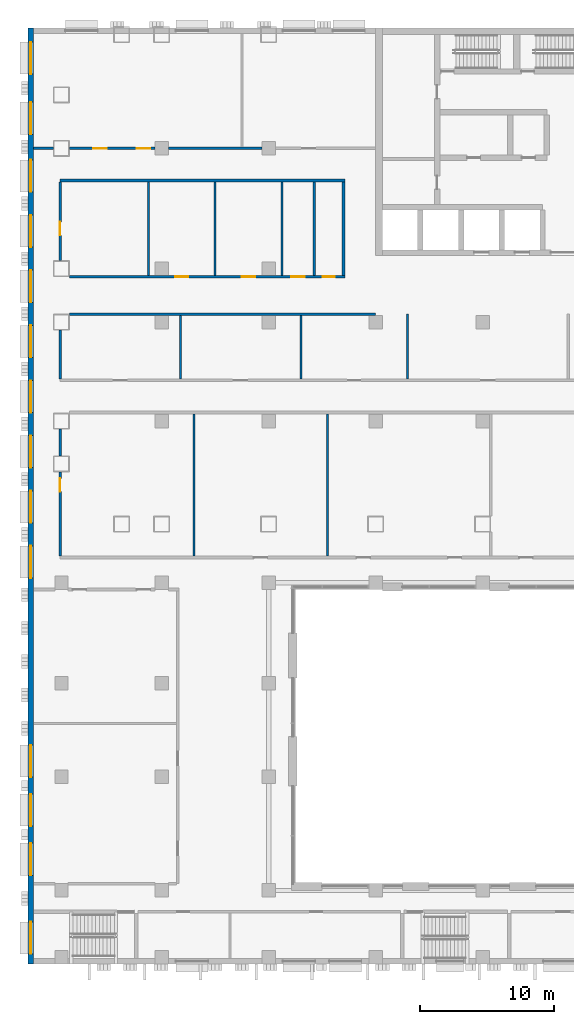
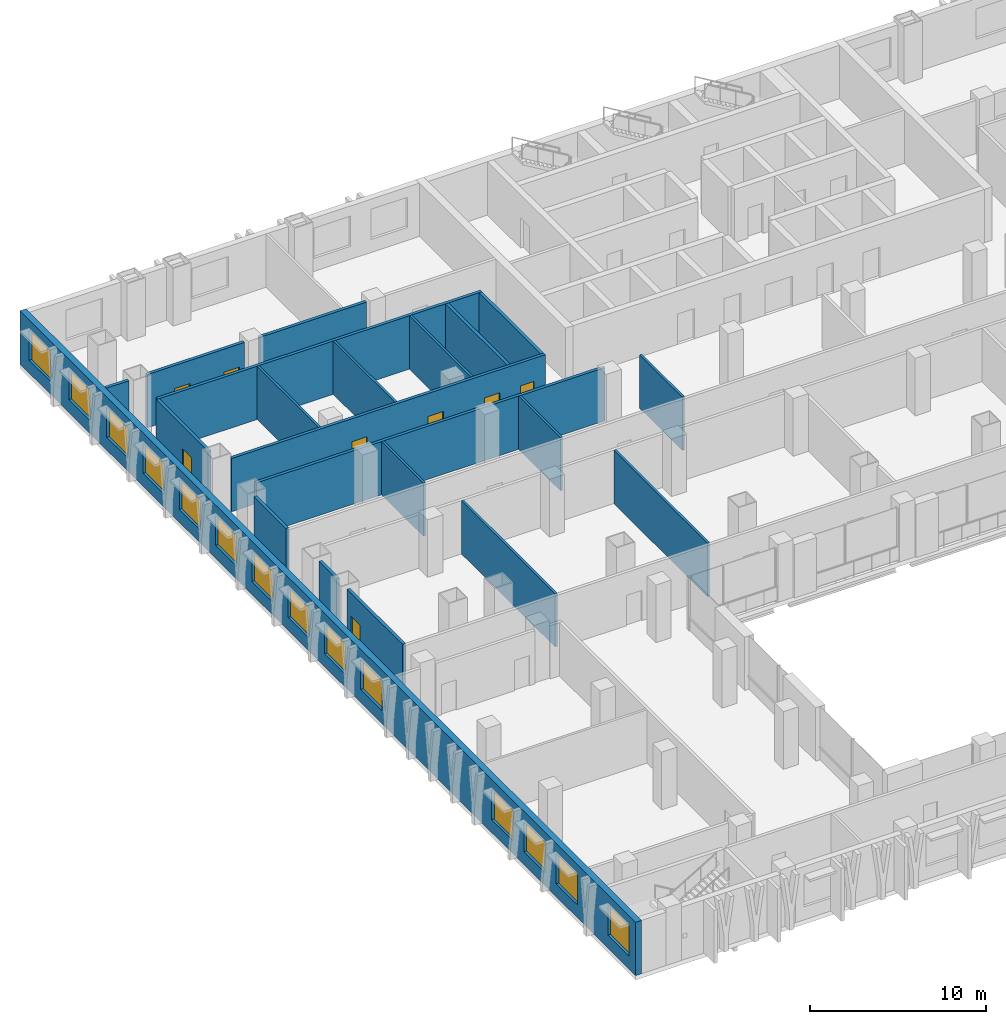
# One storey, part 11 of 26: 21 walls, 14 windows, 8 doors, 22 openings.
"""IFC4 building model written with IfcOpenShell, lengths in metres."""

from ifc_helpers import new_model, si_unit, direction, frame, frame_2d, origin, place, context, subcontext, project, spatial, rectangle, extrude, material, layer, layer_set, type_object, element, fill, save


model = new_model("IFC4")

# Units and contexts
model_context = context("Model", 3, precision=1e-05, world=origin(), true_north=direction((0.0, 1.0)))
body_context = subcontext(model_context, "Body", "Model", "MODEL_VIEW")
ifc_project = project(units=[si_unit("LENGTHUNIT", "METRE"), si_unit("AREAUNIT", "SQUARE_METRE"), si_unit("VOLUMEUNIT", "CUBIC_METRE"), si_unit("PLANEANGLEUNIT", "RADIAN"), si_unit("MASSUNIT", "GRAM", prefix="KILO")], contexts=[model_context])

# Site, building, storey
site_placement = place(None, origin())
site = spatial("IfcSite", under=ifc_project, at=site_placement, CompositionType="ELEMENT")
building_placement = place(site_placement, origin())
building = spatial("IfcBuilding", under=site, at=building_placement, Name="Vidyagriha Tower", CompositionType="ELEMENT")
storey_placement = place(building_placement, frame((0.0, 0.0, 6.0)))
storey = spatial("IfcBuildingStorey", under=building, at=storey_placement, Name="L01", CompositionType="ELEMENT", Elevation=6.0)

# Wall, openings, windows
ifc_material_1 = material(Name="Concrete C40/50 board-marked with brick facing", Category="concrete")
ifc_layer_1 = layer(ifc_material_1, 0.39990234375)
ifc_layer_set_1 = layer_set([ifc_layer_1], Name="Concrete C40/50 board-marked with brick facing")
wall_type_1 = type_object("IfcWallType", Name="Brick-faced board-marked concrete podium wall 400", PredefinedType="STANDARD", material=ifc_layer_set_1)
wall_1_placement = place(storey_placement, frame((-39.800048828125, 20.0, 0.0), z_axis=(0.0, 0.0, 1.0), x_axis=(0.0, -1.0, 0.0)))
wall_1 = element("IfcWall", 1, at=wall_1_placement, inside=storey, type_object=wall_type_1, Name="Podium wall L01 R05", PredefinedType="STANDARD", context=body_context, shape_type="SweptSolid", body=[
    extrude(rectangle(XDim=70.0, YDim=0.39990234375, at=frame_2d((35.0, 0.0))), origin(), (0.0, 0.0, 1.0), 3.699951171875),
])
opening_1_placement = place(wall_1_placement, frame((1.050048828125, 0.0, 0.89990234375)))
opening_1 = element("IfcOpeningElement", 2, at=opening_1_placement, cuts=wall_1, Name="Opening WN3", PredefinedType="OPENING", context=body_context, shape_type="SweptSolid", body=[
    extrude(rectangle(XDim=2.39990234375, YDim=2.10009765625, at=frame_2d((1.199951171875, 1.050048828125))), frame((0.0, 0.2099609375, 0.0), z_axis=(0.0, -1.0, 0.0), x_axis=(1.0, 0.0, 0.0)), (0.0, 0.0, 1.0), 0.419921875),
])
opening_2_placement = place(wall_1_placement, frame((5.550048828125, 0.0, 0.89990234375)))
opening_2 = element("IfcOpeningElement", 3, at=opening_2_placement, cuts=wall_1, Name="Opening WN3", PredefinedType="OPENING", context=body_context, shape_type="SweptSolid", body=[
    extrude(rectangle(XDim=2.39990234375, YDim=2.10009765625, at=frame_2d((1.199951171875, 1.050048828125))), frame((0.0, 0.2099609375, 0.0), z_axis=(0.0, -1.0, 0.0), x_axis=(1.0, 0.0, 0.0)), (0.0, 0.0, 1.0), 0.419921875),
])
opening_3_placement = place(wall_1_placement, frame((9.862548828125, 0.0, 0.89990234375)))
opening_3 = element("IfcOpeningElement", 4, at=opening_3_placement, cuts=wall_1, Name="Opening WN3", PredefinedType="OPENING", context=body_context, shape_type="SweptSolid", body=[
    extrude(rectangle(XDim=2.39990234375, YDim=2.10009765625, at=frame_2d((1.199951171875, 1.050048828125))), frame((0.0, 0.2099609375, 0.0), z_axis=(0.0, -1.0, 0.0), x_axis=(1.0, 0.0, 0.0)), (0.0, 0.0, 1.0), 0.419921875),
])
opening_4_placement = place(wall_1_placement, frame((13.987548828125, 0.0, 0.89990234375)))
opening_4 = element("IfcOpeningElement", 5, at=opening_4_placement, cuts=wall_1, Name="Opening WN3", PredefinedType="OPENING", context=body_context, shape_type="SweptSolid", body=[
    extrude(rectangle(XDim=2.39990234375, YDim=2.10009765625, at=frame_2d((1.199951171875, 1.050048828125))), frame((0.0, 0.2099609375, 0.0), z_axis=(0.0, -1.0, 0.0), x_axis=(1.0, 0.0, 0.0)), (0.0, 0.0, 1.0), 0.419921875),
])
opening_5_placement = place(wall_1_placement, frame((18.112548828125, 0.0, 0.89990234375)))
opening_5 = element("IfcOpeningElement", 6, at=opening_5_placement, cuts=wall_1, Name="Opening WN3", PredefinedType="OPENING", context=body_context, shape_type="SweptSolid", body=[
    extrude(rectangle(XDim=2.39990234375, YDim=2.10009765625, at=frame_2d((1.199951171875, 1.050048828125))), frame((0.0, 0.2099609375, 0.0), z_axis=(0.0, -1.0, 0.0), x_axis=(1.0, 0.0, 0.0)), (0.0, 0.0, 1.0), 0.419921875),
])
opening_6_placement = place(wall_1_placement, frame((22.237548828125, 0.0, 0.89990234375)))
opening_6 = element("IfcOpeningElement", 7, at=opening_6_placement, cuts=wall_1, Name="Opening WN3", PredefinedType="OPENING", context=body_context, shape_type="SweptSolid", body=[
    extrude(rectangle(XDim=2.39990234375, YDim=2.10009765625, at=frame_2d((1.199951171875, 1.050048828125))), frame((0.0, 0.2099609375, 0.0), z_axis=(0.0, -1.0, 0.0), x_axis=(1.0, 0.0, 0.0)), (0.0, 0.0, 1.0), 0.419921875),
])
opening_7_placement = place(wall_1_placement, frame((26.362548828125, 0.0, 0.89990234375)))
opening_7 = element("IfcOpeningElement", 8, at=opening_7_placement, cuts=wall_1, Name="Opening WN3", PredefinedType="OPENING", context=body_context, shape_type="SweptSolid", body=[
    extrude(rectangle(XDim=2.39990234375, YDim=2.10009765625, at=frame_2d((1.199951171875, 1.050048828125))), frame((0.0, 0.2099609375, 0.0), z_axis=(0.0, -1.0, 0.0), x_axis=(1.0, 0.0, 0.0)), (0.0, 0.0, 1.0), 0.419921875),
])
opening_8_placement = place(wall_1_placement, frame((30.487548828125, 0.0, 0.89990234375)))
opening_8 = element("IfcOpeningElement", 9, at=opening_8_placement, cuts=wall_1, Name="Opening WN3", PredefinedType="OPENING", context=body_context, shape_type="SweptSolid", body=[
    extrude(rectangle(XDim=2.39990234375, YDim=2.10009765625, at=frame_2d((1.199951171875, 1.050048828125))), frame((0.0, 0.2099609375, 0.0), z_axis=(0.0, -1.0, 0.0), x_axis=(1.0, 0.0, 0.0)), (0.0, 0.0, 1.0), 0.419921875),
])
opening_9_placement = place(wall_1_placement, frame((34.612548828125, 0.0, 0.89990234375)))
opening_9 = element("IfcOpeningElement", 10, at=opening_9_placement, cuts=wall_1, Name="Opening WN3", PredefinedType="OPENING", context=body_context, shape_type="SweptSolid", body=[
    extrude(rectangle(XDim=2.39990234375, YDim=2.10009765625, at=frame_2d((1.199951171875, 1.050048828125))), frame((0.0, 0.2099609375, 0.0), z_axis=(0.0, -1.0, 0.0), x_axis=(1.0, 0.0, 0.0)), (0.0, 0.0, 1.0), 0.419921875),
])
opening_10_placement = place(wall_1_placement, frame((38.737548828125, 0.0, 0.89990234375)))
opening_10 = element("IfcOpeningElement", 11, at=opening_10_placement, cuts=wall_1, Name="Opening WN3", PredefinedType="OPENING", context=body_context, shape_type="SweptSolid", body=[
    extrude(rectangle(XDim=2.39990234375, YDim=2.10009765625, at=frame_2d((1.199951171875, 1.050048828125))), frame((0.0, 0.2099609375, 0.0), z_axis=(0.0, -1.0, 0.0), x_axis=(1.0, 0.0, 0.0)), (0.0, 0.0, 1.0), 0.419921875),
])
opening_11_placement = place(wall_1_placement, frame((53.63330078125, 0.0, 0.89990234375)))
opening_11 = element("IfcOpeningElement", 12, at=opening_11_placement, cuts=wall_1, Name="Opening WN3", PredefinedType="OPENING", context=body_context, shape_type="SweptSolid", body=[
    extrude(rectangle(XDim=2.39990234375, YDim=2.10009765625, at=frame_2d((1.199951171875, 1.050048828125))), frame((0.0, 0.2099609375, 0.0), z_axis=(0.0, -1.0, 0.0), x_axis=(1.0, 0.0, 0.0)), (0.0, 0.0, 1.0), 0.419921875),
])
opening_12_placement = place(wall_1_placement, frame((57.300048828125, 0.0, 0.89990234375)))
opening_12 = element("IfcOpeningElement", 13, at=opening_12_placement, cuts=wall_1, Name="Opening WN3", PredefinedType="OPENING", context=body_context, shape_type="SweptSolid", body=[
    extrude(rectangle(XDim=2.39990234375, YDim=2.10009765625, at=frame_2d((1.199951171875, 1.050048828125))), frame((0.0, 0.2099609375, 0.0), z_axis=(0.0, -1.0, 0.0), x_axis=(1.0, 0.0, 0.0)), (0.0, 0.0, 1.0), 0.419921875),
])
opening_13_placement = place(wall_1_placement, frame((60.966796875, 0.0, 0.89990234375)))
opening_13 = element("IfcOpeningElement", 14, at=opening_13_placement, cuts=wall_1, Name="Opening WN3", PredefinedType="OPENING", context=body_context, shape_type="SweptSolid", body=[
    extrude(rectangle(XDim=2.39990234375, YDim=2.10009765625, at=frame_2d((1.199951171875, 1.050048828125))), frame((0.0, 0.2099609375, 0.0), z_axis=(0.0, -1.0, 0.0), x_axis=(1.0, 0.0, 0.0)), (0.0, 0.0, 1.0), 0.419921875),
])
opening_14_placement = place(wall_1_placement, frame((66.85009765625, 0.0, 0.89990234375)))
opening_14 = element("IfcOpeningElement", 15, at=opening_14_placement, cuts=wall_1, Name="Opening WN3", PredefinedType="OPENING", context=body_context, shape_type="SweptSolid", body=[
    extrude(rectangle(XDim=2.39990234375, YDim=2.10009765625, at=frame_2d((1.199951171875, 1.050048828125))), frame((0.0, 0.2099609375, 0.0), z_axis=(0.0, -1.0, 0.0), x_axis=(1.0, 0.0, 0.0)), (0.0, 0.0, 1.0), 0.419921875),
])
ifc_material_2 = material(Name="Aluminium and glass window", Category="aluminium")
window_type = type_object("IfcWindowType", Name="Podium school window 2400x2100", PartitioningType="NOTDEFINED", PredefinedType="WINDOW", material=ifc_material_2)
window_1_placement = place(opening_1_placement, origin())
window_1 = element("IfcWindow", 16, at=window_1_placement, inside=storey, type_object=window_type, Name="School window L01 R05.1", OverallHeight=2.10009765625, OverallWidth=2.39990234375, PartitioningType="SINGLE_PANEL", PredefinedType="WINDOW", context=body_context, shape_type="SweptSolid", body=[
    extrude(rectangle(XDim=2.39990234375, YDim=2.10009765625, at=frame_2d((1.199951171875, 1.050048828125))), frame((0.0, 0.030029296875, 0.0), z_axis=(0.0, -1.0, 0.0), x_axis=(1.0, 0.0, 0.0)), (0.0, 0.0, 1.0), 0.06005859375),
])
fill(opening_1, window_1)
window_2_placement = place(opening_2_placement, origin())
window_2 = element("IfcWindow", 17, at=window_2_placement, inside=storey, type_object=window_type, Name="School window L01 R05.2", OverallHeight=2.10009765625, OverallWidth=2.39990234375, PartitioningType="SINGLE_PANEL", PredefinedType="WINDOW", context=body_context, shape_type="SweptSolid", body=[
    extrude(rectangle(XDim=2.39990234375, YDim=2.10009765625, at=frame_2d((1.199951171875, 1.050048828125))), frame((0.0, 0.030029296875, 0.0), z_axis=(0.0, -1.0, 0.0), x_axis=(1.0, 0.0, 0.0)), (0.0, 0.0, 1.0), 0.06005859375),
])
fill(opening_2, window_2)
window_3_placement = place(opening_3_placement, origin())
window_3 = element("IfcWindow", 18, at=window_3_placement, inside=storey, type_object=window_type, Name="School window L01 R05.3", OverallHeight=2.10009765625, OverallWidth=2.39990234375, PartitioningType="SINGLE_PANEL", PredefinedType="WINDOW", context=body_context, shape_type="SweptSolid", body=[
    extrude(rectangle(XDim=2.39990234375, YDim=2.10009765625, at=frame_2d((1.199951171875, 1.050048828125))), frame((0.0, 0.030029296875, 0.0), z_axis=(0.0, -1.0, 0.0), x_axis=(1.0, 0.0, 0.0)), (0.0, 0.0, 1.0), 0.06005859375),
])
fill(opening_3, window_3)
window_4_placement = place(opening_4_placement, origin())
window_4 = element("IfcWindow", 19, at=window_4_placement, inside=storey, type_object=window_type, Name="School window L01 R05.4", OverallHeight=2.10009765625, OverallWidth=2.39990234375, PartitioningType="SINGLE_PANEL", PredefinedType="WINDOW", context=body_context, shape_type="SweptSolid", body=[
    extrude(rectangle(XDim=2.39990234375, YDim=2.10009765625, at=frame_2d((1.199951171875, 1.050048828125))), frame((0.0, 0.030029296875, 0.0), z_axis=(0.0, -1.0, 0.0), x_axis=(1.0, 0.0, 0.0)), (0.0, 0.0, 1.0), 0.06005859375),
])
fill(opening_4, window_4)
window_5_placement = place(opening_5_placement, origin())
window_5 = element("IfcWindow", 20, at=window_5_placement, inside=storey, type_object=window_type, Name="School window L01 R05.5", OverallHeight=2.10009765625, OverallWidth=2.39990234375, PartitioningType="SINGLE_PANEL", PredefinedType="WINDOW", context=body_context, shape_type="SweptSolid", body=[
    extrude(rectangle(XDim=2.39990234375, YDim=2.10009765625, at=frame_2d((1.199951171875, 1.050048828125))), frame((0.0, 0.030029296875, 0.0), z_axis=(0.0, -1.0, 0.0), x_axis=(1.0, 0.0, 0.0)), (0.0, 0.0, 1.0), 0.06005859375),
])
fill(opening_5, window_5)
window_6_placement = place(opening_6_placement, origin())
window_6 = element("IfcWindow", 21, at=window_6_placement, inside=storey, type_object=window_type, Name="School window L01 R05.6", OverallHeight=2.10009765625, OverallWidth=2.39990234375, PartitioningType="SINGLE_PANEL", PredefinedType="WINDOW", context=body_context, shape_type="SweptSolid", body=[
    extrude(rectangle(XDim=2.39990234375, YDim=2.10009765625, at=frame_2d((1.199951171875, 1.050048828125))), frame((0.0, 0.030029296875, 0.0), z_axis=(0.0, -1.0, 0.0), x_axis=(1.0, 0.0, 0.0)), (0.0, 0.0, 1.0), 0.06005859375),
])
fill(opening_6, window_6)
window_7_placement = place(opening_7_placement, origin())
window_7 = element("IfcWindow", 22, at=window_7_placement, inside=storey, type_object=window_type, Name="School window L01 R05.7", OverallHeight=2.10009765625, OverallWidth=2.39990234375, PartitioningType="SINGLE_PANEL", PredefinedType="WINDOW", context=body_context, shape_type="SweptSolid", body=[
    extrude(rectangle(XDim=2.39990234375, YDim=2.10009765625, at=frame_2d((1.199951171875, 1.050048828125))), frame((0.0, 0.030029296875, 0.0), z_axis=(0.0, -1.0, 0.0), x_axis=(1.0, 0.0, 0.0)), (0.0, 0.0, 1.0), 0.06005859375),
])
fill(opening_7, window_7)
window_8_placement = place(opening_8_placement, origin())
window_8 = element("IfcWindow", 23, at=window_8_placement, inside=storey, type_object=window_type, Name="School window L01 R05.8", OverallHeight=2.10009765625, OverallWidth=2.39990234375, PartitioningType="SINGLE_PANEL", PredefinedType="WINDOW", context=body_context, shape_type="SweptSolid", body=[
    extrude(rectangle(XDim=2.39990234375, YDim=2.10009765625, at=frame_2d((1.199951171875, 1.050048828125))), frame((0.0, 0.030029296875, 0.0), z_axis=(0.0, -1.0, 0.0), x_axis=(1.0, 0.0, 0.0)), (0.0, 0.0, 1.0), 0.06005859375),
])
fill(opening_8, window_8)
window_9_placement = place(opening_9_placement, origin())
window_9 = element("IfcWindow", 24, at=window_9_placement, inside=storey, type_object=window_type, Name="School window L01 R05.9", OverallHeight=2.10009765625, OverallWidth=2.39990234375, PartitioningType="SINGLE_PANEL", PredefinedType="WINDOW", context=body_context, shape_type="SweptSolid", body=[
    extrude(rectangle(XDim=2.39990234375, YDim=2.10009765625, at=frame_2d((1.199951171875, 1.050048828125))), frame((0.0, 0.030029296875, 0.0), z_axis=(0.0, -1.0, 0.0), x_axis=(1.0, 0.0, 0.0)), (0.0, 0.0, 1.0), 0.06005859375),
])
fill(opening_9, window_9)
window_10_placement = place(opening_10_placement, origin())
window_10 = element("IfcWindow", 25, at=window_10_placement, inside=storey, type_object=window_type, Name="School window L01 R05.10", OverallHeight=2.10009765625, OverallWidth=2.39990234375, PartitioningType="SINGLE_PANEL", PredefinedType="WINDOW", context=body_context, shape_type="SweptSolid", body=[
    extrude(rectangle(XDim=2.39990234375, YDim=2.10009765625, at=frame_2d((1.199951171875, 1.050048828125))), frame((0.0, 0.030029296875, 0.0), z_axis=(0.0, -1.0, 0.0), x_axis=(1.0, 0.0, 0.0)), (0.0, 0.0, 1.0), 0.06005859375),
])
fill(opening_10, window_10)
window_11_placement = place(opening_11_placement, origin())
window_11 = element("IfcWindow", 26, at=window_11_placement, inside=storey, type_object=window_type, Name="School window L01 R05.15", OverallHeight=2.10009765625, OverallWidth=2.39990234375, PartitioningType="SINGLE_PANEL", PredefinedType="WINDOW", context=body_context, shape_type="SweptSolid", body=[
    extrude(rectangle(XDim=2.39990234375, YDim=2.10009765625, at=frame_2d((1.199951171875, 1.050048828125))), frame((0.0, 0.030029296875, 0.0), z_axis=(0.0, -1.0, 0.0), x_axis=(1.0, 0.0, 0.0)), (0.0, 0.0, 1.0), 0.06005859375),
])
fill(opening_11, window_11)
window_12_placement = place(opening_12_placement, origin())
window_12 = element("IfcWindow", 27, at=window_12_placement, inside=storey, type_object=window_type, Name="School window L01 R05.16", OverallHeight=2.10009765625, OverallWidth=2.39990234375, PartitioningType="SINGLE_PANEL", PredefinedType="WINDOW", context=body_context, shape_type="SweptSolid", body=[
    extrude(rectangle(XDim=2.39990234375, YDim=2.10009765625, at=frame_2d((1.199951171875, 1.050048828125))), frame((0.0, 0.030029296875, 0.0), z_axis=(0.0, -1.0, 0.0), x_axis=(1.0, 0.0, 0.0)), (0.0, 0.0, 1.0), 0.06005859375),
])
fill(opening_12, window_12)
window_13_placement = place(opening_13_placement, origin())
window_13 = element("IfcWindow", 28, at=window_13_placement, inside=storey, type_object=window_type, Name="School window L01 R05.17", OverallHeight=2.10009765625, OverallWidth=2.39990234375, PartitioningType="SINGLE_PANEL", PredefinedType="WINDOW", context=body_context, shape_type="SweptSolid", body=[
    extrude(rectangle(XDim=2.39990234375, YDim=2.10009765625, at=frame_2d((1.199951171875, 1.050048828125))), frame((0.0, 0.030029296875, 0.0), z_axis=(0.0, -1.0, 0.0), x_axis=(1.0, 0.0, 0.0)), (0.0, 0.0, 1.0), 0.06005859375),
])
fill(opening_13, window_13)
window_14_placement = place(opening_14_placement, origin())
window_14 = element("IfcWindow", 29, at=window_14_placement, inside=storey, type_object=window_type, Name="School window L01 R05.19", OverallHeight=2.10009765625, OverallWidth=2.39990234375, PartitioningType="SINGLE_PANEL", PredefinedType="WINDOW", context=body_context, shape_type="SweptSolid", body=[
    extrude(rectangle(XDim=2.39990234375, YDim=2.10009765625, at=frame_2d((1.199951171875, 1.050048828125))), frame((0.0, 0.030029296875, 0.0), z_axis=(0.0, -1.0, 0.0), x_axis=(1.0, 0.0, 0.0)), (0.0, 0.0, 1.0), 0.06005859375),
])
fill(opening_14, window_14)

# Wall
ifc_material_3 = material(Name="Fire rated gypsum board on light gauge framing")
ifc_layer_2 = layer(ifc_material_3, 0.199951171875)
ifc_layer_set_2 = layer_set([ifc_layer_2], Name="Fire rated gypsum board on light gauge framing")
wall_type_2 = type_object("IfcWallType", Name="Fire Rated Corridor Wall 200", PredefinedType="PARTITIONING", material=ifc_layer_set_2)
wall_2_placement = place(storey_placement, frame((-36.89990234375, -1.39990234375, 0.0)))
element("IfcWall", 30, at=wall_2_placement, inside=storey, type_object=wall_type_2, Name="L01 Fire Rated Corridor Wall 200 024", PredefinedType="PARTITIONING", context=body_context, shape_type="SweptSolid", body=[
    extrude(rectangle(XDim=22.89990234375, YDim=0.199951171875, at=frame_2d((11.449951171875, 0.0))), origin(), (0.0, 0.0, 1.0), 3.699951171875),
])

# Wall, openings, doors
wall_3_placement = place(storey_placement, frame((-36.89990234375, 1.39990234375, 0.0)))
wall_3 = element("IfcWall", 31, at=wall_3_placement, inside=storey, type_object=wall_type_2, Name="L01 Fire Rated Corridor Wall 200 026", PredefinedType="PARTITIONING", context=body_context, shape_type="SweptSolid", body=[
    extrude(rectangle(XDim=20.599853515625, YDim=0.199951171875, at=frame_2d((10.2998046875, 0.0))), origin(), (0.0, 0.0, 1.0), 3.699951171875),
])
opening_15_placement = place(wall_3_placement, frame((7.89990234375, 0.0, 0.0)))
opening_15 = element("IfcOpeningElement", 32, at=opening_15_placement, cuts=wall_3, Name="Opening D01-43", PredefinedType="OPENING", context=body_context, shape_type="SweptSolid", body=[
    extrude(rectangle(XDim=1.0, YDim=2.10009765625, at=frame_2d((0.5, 1.050048828125))), frame((0.0, 0.10986328125, 0.0), z_axis=(0.0, -1.0, 0.0), x_axis=(1.0, 0.0, 0.0)), (0.0, 0.0, 1.0), 0.219970703125),
])
opening_16_placement = place(wall_3_placement, frame((12.89990234375, 0.0, 0.0)))
opening_16 = element("IfcOpeningElement", 33, at=opening_16_placement, cuts=wall_3, Name="Opening D01-44", PredefinedType="OPENING", context=body_context, shape_type="SweptSolid", body=[
    extrude(rectangle(XDim=1.0, YDim=2.10009765625, at=frame_2d((0.5, 1.050048828125))), frame((0.0, 0.10986328125, 0.0), z_axis=(0.0, -1.0, 0.0), x_axis=(1.0, 0.0, 0.0)), (0.0, 0.0, 1.0), 0.219970703125),
])
opening_17_placement = place(wall_3_placement, frame((16.60009765625, 0.0, 0.0)))
opening_17 = element("IfcOpeningElement", 34, at=opening_17_placement, cuts=wall_3, Name="Opening D01-45", PredefinedType="OPENING", context=body_context, shape_type="SweptSolid", body=[
    extrude(rectangle(XDim=1.0, YDim=2.10009765625, at=frame_2d((0.5, 1.050048828125))), frame((0.0, 0.10986328125, 0.0), z_axis=(0.0, -1.0, 0.0), x_axis=(1.0, 0.0, 0.0)), (0.0, 0.0, 1.0), 0.219970703125),
])
opening_18_placement = place(wall_3_placement, frame((18.949951171875, 0.0, 0.0)))
opening_18 = element("IfcOpeningElement", 35, at=opening_18_placement, cuts=wall_3, Name="Opening D01-46", PredefinedType="OPENING", context=body_context, shape_type="SweptSolid", body=[
    extrude(rectangle(XDim=0.89990234375, YDim=2.10009765625, at=frame_2d((0.449951171875, 1.050048828125))), frame((0.0, 0.10986328125, 0.0), z_axis=(0.0, -1.0, 0.0), x_axis=(1.0, 0.0, 0.0)), (0.0, 0.0, 1.0), 0.219970703125),
])
ifc_material_4 = material(Name="Steel fire door set", Category="steel")
door_type_1 = type_object("IfcDoorType", Name="Podium Door 1000x2100 EI 30", OperationType="NOTDEFINED", PredefinedType="DOOR", material=ifc_material_4)
door_1_placement = place(opening_15_placement, origin())
door_1 = element("IfcDoor", 36, at=door_1_placement, inside=storey, type_object=door_type_1, Name="L01 door D01-43", OperationType="SINGLE_SWING_LEFT", OverallHeight=2.10009765625, OverallWidth=1.0, PredefinedType="DOOR", context=body_context, shape_type="SweptSolid", body=[
    extrude(rectangle(XDim=1.0, YDim=2.10009765625, at=frame_2d((0.5, 1.050048828125))), frame((0.0, 0.02490234375, 0.0), z_axis=(0.0, -1.0, 0.0), x_axis=(1.0, 0.0, 0.0)), (0.0, 0.0, 1.0), 0.050048828125),
])
fill(opening_15, door_1)
door_2_placement = place(opening_16_placement, origin())
door_2 = element("IfcDoor", 37, at=door_2_placement, inside=storey, type_object=door_type_1, Name="L01 door D01-44", OperationType="SINGLE_SWING_RIGHT", OverallHeight=2.10009765625, OverallWidth=1.0, PredefinedType="DOOR", context=body_context, shape_type="SweptSolid", body=[
    extrude(rectangle(XDim=1.0, YDim=2.10009765625, at=frame_2d((0.5, 1.050048828125))), frame((0.0, 0.02490234375, 0.0), z_axis=(0.0, -1.0, 0.0), x_axis=(1.0, 0.0, 0.0)), (0.0, 0.0, 1.0), 0.050048828125),
])
fill(opening_16, door_2)
door_3_placement = place(opening_17_placement, origin())
door_3 = element("IfcDoor", 38, at=door_3_placement, inside=storey, type_object=door_type_1, Name="L01 door D01-45", OperationType="SINGLE_SWING_RIGHT", OverallHeight=2.10009765625, OverallWidth=1.0, PredefinedType="DOOR", context=body_context, shape_type="SweptSolid", body=[
    extrude(rectangle(XDim=1.0, YDim=2.10009765625, at=frame_2d((0.5, 1.050048828125))), frame((0.0, 0.02490234375, 0.0), z_axis=(0.0, -1.0, 0.0), x_axis=(1.0, 0.0, 0.0)), (0.0, 0.0, 1.0), 0.050048828125),
])
fill(opening_17, door_3)
ifc_material_5 = material(Name="Steel fire door set", Category="steel")
door_type_2 = type_object("IfcDoorType", Name="Podium Door 900x2100 EI 30", OperationType="NOTDEFINED", PredefinedType="DOOR", material=ifc_material_5)
door_4_placement = place(opening_18_placement, origin())
door_4 = element("IfcDoor", 39, at=door_4_placement, inside=storey, type_object=door_type_2, Name="L01 door D01-46", OperationType="SINGLE_SWING_RIGHT", OverallHeight=2.10009765625, OverallWidth=0.89990234375, PredefinedType="DOOR", context=body_context, shape_type="SweptSolid", body=[
    extrude(rectangle(XDim=0.89990234375, YDim=2.10009765625, at=frame_2d((0.449951171875, 1.050048828125))), frame((0.0, 0.02490234375, 0.0), z_axis=(0.0, -1.0, 0.0), x_axis=(1.0, 0.0, 0.0)), (0.0, 0.0, 1.0), 0.050048828125),
])
fill(opening_18, door_4)

# Walls
wall_4_placement = place(storey_placement, frame((-37.599853515625, 8.60009765625, 0.0)))
element("IfcWall", 40, at=wall_4_placement, inside=storey, type_object=wall_type_2, Name="L01 Fire Rated Corridor Wall 200 028", PredefinedType="PARTITIONING", context=body_context, shape_type="SweptSolid", body=[
    extrude(rectangle(XDim=21.2998046875, YDim=0.199951171875, at=frame_2d((10.64990234375, 0.0))), origin(), (0.0, 0.0, 1.0), 3.699951171875),
])
wall_5_placement = place(storey_placement, frame((-39.60009765625, 11.0, 0.0)))
element("IfcWall", 41, at=wall_5_placement, inside=storey, type_object=wall_type_2, Name="L01 Fire Rated Corridor Wall 200 030", PredefinedType="PARTITIONING", context=body_context, shape_type="SweptSolid", body=[
    extrude(rectangle(XDim=1.5, YDim=0.199951171875, at=frame_2d((0.75, 0.0))), origin(), (0.0, 0.0, 1.0), 3.699951171875),
])

# Wall, openings, doors
wall_6_placement = place(storey_placement, frame((-36.89990234375, 11.0, 0.0)))
wall_6 = element("IfcWall", 42, at=wall_6_placement, inside=storey, type_object=wall_type_2, Name="L01 Fire Rated Corridor Wall 200 031", PredefinedType="PARTITIONING", context=body_context, shape_type="SweptSolid", body=[
    extrude(rectangle(XDim=6.39990234375, YDim=0.199951171875, at=frame_2d((3.199951171875, 0.0))), origin(), (0.0, 0.0, 1.0), 3.699951171875),
])
opening_19_placement = place(wall_6_placement, frame((1.7919921875, 0.0, 0.0)))
opening_19 = element("IfcOpeningElement", 43, at=opening_19_placement, cuts=wall_6, Name="Opening D01-52", PredefinedType="OPENING", context=body_context, shape_type="SweptSolid", body=[
    extrude(rectangle(XDim=1.0, YDim=2.10009765625, at=frame_2d((0.5, 1.050048828125))), frame((0.0, 0.10986328125, 0.0), z_axis=(0.0, -1.0, 0.0), x_axis=(1.0, 0.0, 0.0)), (0.0, 0.0, 1.0), 0.219970703125),
])
opening_20_placement = place(wall_6_placement, frame((5.050048828125, 0.0, 0.0)))
opening_20 = element("IfcOpeningElement", 44, at=opening_20_placement, cuts=wall_6, Name="Opening D01-53", PredefinedType="OPENING", context=body_context, shape_type="SweptSolid", body=[
    extrude(rectangle(XDim=1.0, YDim=2.10009765625, at=frame_2d((0.5, 1.050048828125))), frame((0.0, 0.10986328125, 0.0), z_axis=(0.0, -1.0, 0.0), x_axis=(1.0, 0.0, 0.0)), (0.0, 0.0, 1.0), 0.219970703125),
])
door_5_placement = place(opening_19_placement, frame((1.0, 0.0, 0.0), z_axis=(0.0, 0.0, 1.0), x_axis=(-1.0, 0.0, 0.0)))
door_5 = element("IfcDoor", 45, at=door_5_placement, inside=storey, type_object=door_type_1, Name="L01 door D01-52", OperationType="SINGLE_SWING_LEFT", OverallHeight=2.10009765625, OverallWidth=1.0, PredefinedType="DOOR", context=body_context, shape_type="SweptSolid", body=[
    extrude(rectangle(XDim=1.0, YDim=2.10009765625, at=frame_2d((0.5, 1.050048828125))), frame((0.0, 0.02490234375, 0.0), z_axis=(0.0, -1.0, 0.0), x_axis=(1.0, 0.0, 0.0)), (0.0, 0.0, 1.0), 0.050048828125),
])
fill(opening_19, door_5)
door_6_placement = place(opening_20_placement, frame((1.0, 0.0, 0.0), z_axis=(0.0, 0.0, 1.0), x_axis=(-1.0, 0.0, 0.0)))
door_6 = element("IfcDoor", 46, at=door_6_placement, inside=storey, type_object=door_type_1, Name="L01 door D01-53", OperationType="SINGLE_SWING_RIGHT", OverallHeight=2.10009765625, OverallWidth=1.0, PredefinedType="DOOR", context=body_context, shape_type="SweptSolid", body=[
    extrude(rectangle(XDim=1.0, YDim=2.10009765625, at=frame_2d((0.5, 1.050048828125))), frame((0.0, 0.02490234375, 0.0), z_axis=(0.0, -1.0, 0.0), x_axis=(1.0, 0.0, 0.0)), (0.0, 0.0, 1.0), 0.050048828125),
])
fill(opening_20, door_6)

# Wall
wall_7_placement = place(storey_placement, frame((-29.5, 11.0, 0.0)))
element("IfcWall", 47, at=wall_7_placement, inside=storey, type_object=wall_type_2, Name="L01 Fire Rated Corridor Wall 200 032", PredefinedType="PARTITIONING", context=body_context, shape_type="SweptSolid", body=[
    extrude(rectangle(XDim=7.0, YDim=0.199951171875, at=frame_2d((3.5, 0.0))), origin(), (0.0, 0.0, 1.0), 3.699951171875),
])

# Wall, opening, door
wall_8_placement = place(storey_placement, frame((-37.60009765625, -19.5, 0.0), z_axis=(0.0, 0.0, 1.0), x_axis=(0.0, 1.0, 0.0)))
wall_8 = element("IfcWall", 48, at=wall_8_placement, inside=storey, type_object=wall_type_2, Name="L01 Fire Rated Corridor Wall 200 039", PredefinedType="PARTITIONING", context=body_context, shape_type="SweptSolid", body=[
    extrude(rectangle(XDim=6.300048828125, YDim=0.199951171875, at=frame_2d((3.14990234375, 0.0))), origin(), (0.0, 0.0, 1.0), 3.699951171875),
])
opening_21_placement = place(wall_8_placement, frame((4.824951171875, 0.0, 0.0)))
opening_21 = element("IfcOpeningElement", 49, at=opening_21_placement, cuts=wall_8, Name="Opening D01-26", PredefinedType="OPENING", context=body_context, shape_type="SweptSolid", body=[
    extrude(rectangle(XDim=1.0, YDim=2.10009765625, at=frame_2d((0.5, 1.050048828125))), frame((0.0, 0.10986328125, 0.0), z_axis=(0.0, -1.0, 0.0), x_axis=(1.0, 0.0, 0.0)), (0.0, 0.0, 1.0), 0.219970703125),
])
door_7_placement = place(opening_21_placement, frame((1.0, 0.0, 0.0), z_axis=(0.0, 0.0, 1.0), x_axis=(-1.0, 0.0, 0.0)))
door_7 = element("IfcDoor", 50, at=door_7_placement, inside=storey, type_object=door_type_1, Name="L01 door D01-26", OperationType="SINGLE_SWING_RIGHT", OverallHeight=2.10009765625, OverallWidth=1.0, PredefinedType="DOOR", context=body_context, shape_type="SweptSolid", body=[
    extrude(rectangle(XDim=1.0, YDim=2.10009765625, at=frame_2d((0.5, 1.050048828125))), frame((0.0, 0.02490234375, 0.0), z_axis=(0.0, -1.0, 0.0), x_axis=(1.0, 0.0, 0.0)), (0.0, 0.0, 1.0), 0.050048828125),
])
fill(opening_21, door_7)

# Walls
wall_9_placement = place(storey_placement, frame((-37.60009765625, -12.0, 0.0), z_axis=(0.0, 0.0, 1.0), x_axis=(0.0, 1.0, 0.0)))
element("IfcWall", 51, at=wall_9_placement, inside=storey, type_object=wall_type_2, Name="L01 Fire Rated Corridor Wall 200 040", PredefinedType="PARTITIONING", context=body_context, shape_type="SweptSolid", body=[
    extrude(rectangle(XDim=2.0, YDim=0.199951171875, at=frame_2d((1.0, 0.0))), origin(), (0.0, 0.0, 1.0), 3.699951171875),
])
wall_10_placement = place(storey_placement, frame((-37.60009765625, -6.25, 0.0), z_axis=(0.0, 0.0, 1.0), x_axis=(0.0, 1.0, 0.0)))
element("IfcWall", 52, at=wall_10_placement, inside=storey, type_object=wall_type_2, Name="L01 Fire Rated Corridor Wall 200 041", PredefinedType="PARTITIONING", context=body_context, shape_type="SweptSolid", body=[
    extrude(rectangle(XDim=3.64990234375, YDim=0.199951171875, at=frame_2d((1.824951171875, 0.0))), origin(), (0.0, 0.0, 1.0), 3.699951171875),
])

# Wall, opening, door
wall_11_placement = place(storey_placement, frame((-37.60009765625, 2.60009765625, 0.0), z_axis=(0.0, 0.0, 1.0), x_axis=(0.0, 1.0, 0.0)))
wall_11 = element("IfcWall", 53, at=wall_11_placement, inside=storey, type_object=wall_type_2, Name="L01 Fire Rated Corridor Wall 200 042", PredefinedType="PARTITIONING", context=body_context, shape_type="SweptSolid", body=[
    extrude(rectangle(XDim=5.89990234375, YDim=0.199951171875, at=frame_2d((2.949951171875, 0.0))), origin(), (0.0, 0.0, 1.0), 3.699951171875),
])
opening_22_placement = place(wall_11_placement, frame((1.89990234375, 0.0, 0.0)))
opening_22 = element("IfcOpeningElement", 54, at=opening_22_placement, cuts=wall_11, Name="Opening D01-42", PredefinedType="OPENING", context=body_context, shape_type="SweptSolid", body=[
    extrude(rectangle(XDim=1.0, YDim=2.10009765625, at=frame_2d((0.5, 1.050048828125))), frame((0.0, 0.10986328125, 0.0), z_axis=(0.0, -1.0, 0.0), x_axis=(1.0, 0.0, 0.0)), (0.0, 0.0, 1.0), 0.219970703125),
])
door_8_placement = place(opening_22_placement, frame((1.0, 0.0, 0.0), z_axis=(0.0, 0.0, 1.0), x_axis=(-1.0, 0.0, 0.0)))
door_8 = element("IfcDoor", 55, at=door_8_placement, inside=storey, type_object=door_type_1, Name="L01 door D01-42", OperationType="SINGLE_SWING_LEFT", OverallHeight=2.10009765625, OverallWidth=1.0, PredefinedType="DOOR", context=body_context, shape_type="SweptSolid", body=[
    extrude(rectangle(XDim=1.0, YDim=2.10009765625, at=frame_2d((0.5, 1.050048828125))), frame((0.0, 0.02490234375, 0.0), z_axis=(0.0, -1.0, 0.0), x_axis=(1.0, 0.0, 0.0)), (0.0, 0.0, 1.0), 0.050048828125),
])
fill(opening_22, door_8)

# Walls
for number, where, z_axis, x_axis, name in (
    (56, (-18.60009765625, 1.5, 0.0), (0.0, 0.0, 1.0), (0.0, 1.0, 0.0), "L01 Fire Rated Corridor Wall 200 053"),
    (57, (-16.39990234375, 1.5, 0.0), (0.0, 0.0, 1.0), (0.0, 1.0, 0.0), "L01 Fire Rated Corridor Wall 200 055"),
):
    element("IfcWall", number, at=place(storey_placement, frame(where, z_axis=z_axis, x_axis=x_axis)), inside=storey, type_object=wall_type_2, Name=name, PredefinedType="PARTITIONING", context=body_context, shape_type="SweptSolid", body=[
        extrude(rectangle(XDim=7.0, YDim=0.199951171875, at=frame_2d((3.5, 0.0))), origin(), (0.0, 0.0, 1.0), 3.699951171875),
    ])
ifc_material_6 = material(Name="Gypsum board on light gauge framing")
ifc_layer_3 = layer(ifc_material_6, 0.14990234375)
ifc_layer_set_3 = layer_set([ifc_layer_3], Name="Gypsum board on light gauge framing")
wall_type_3 = type_object("IfcWallType", Name="Gypsum Board Partition 150", PredefinedType="PARTITIONING", material=ifc_layer_set_3)
wall_12_placement = place(storey_placement, frame((-31.0, 1.5, 0.0), z_axis=(0.0, 0.0, 1.0), x_axis=(0.0, 1.0, 0.0)))
element("IfcWall", 58, at=wall_12_placement, inside=storey, type_object=wall_type_3, Name="L01 Gypsum Board Partition 150 044", PredefinedType="PARTITIONING", context=body_context, shape_type="SweptSolid", body=[
    extrude(rectangle(XDim=7.0, YDim=0.14990234375, at=frame_2d((3.5, 0.0))), origin(), (0.0, 0.0, 1.0), 3.699951171875),
])
wall_13_placement = place(storey_placement, frame((-28.60009765625, -6.25, 0.0), z_axis=(0.0, 0.0, 1.0), x_axis=(0.0, 1.0, 0.0)))
element("IfcWall", 59, at=wall_13_placement, inside=storey, type_object=wall_type_3, Name="L01 Gypsum Board Partition 150 046", PredefinedType="PARTITIONING", context=body_context, shape_type="SweptSolid", body=[
    extrude(rectangle(XDim=4.75, YDim=0.14990234375, at=frame_2d((2.375, 0.0))), origin(), (0.0, 0.0, 1.0), 3.699951171875),
])
wall_14_placement = place(storey_placement, frame((-27.60009765625, -19.5, 0.0), z_axis=(0.0, 0.0, 1.0), x_axis=(0.0, 1.0, 0.0)))
element("IfcWall", 60, at=wall_14_placement, inside=storey, type_object=wall_type_3, Name="L01 Gypsum Board Partition 150 047", PredefinedType="PARTITIONING", context=body_context, shape_type="SweptSolid", body=[
    extrude(rectangle(XDim=10.64990234375, YDim=0.14990234375, at=frame_2d((5.324951171875, 0.0))), origin(), (0.0, 0.0, 1.0), 3.699951171875),
])
for number, where, z_axis, x_axis, name in (
    (61, (-26.0, 1.5, 0.0), (0.0, 0.0, 1.0), (0.0, 1.0, 0.0), "L01 Gypsum Board Partition 150 048"),
    (62, (-21.0, 1.5, 0.0), (0.0, 0.0, 1.0), (0.0, 1.0, 0.0), "L01 Gypsum Board Partition 150 051"),
):
    element("IfcWall", number, at=place(storey_placement, frame(where, z_axis=z_axis, x_axis=x_axis)), inside=storey, type_object=wall_type_3, Name=name, PredefinedType="PARTITIONING", context=body_context, shape_type="SweptSolid", body=[
        extrude(rectangle(XDim=7.0, YDim=0.14990234375, at=frame_2d((3.5, 0.0))), origin(), (0.0, 0.0, 1.0), 3.699951171875),
    ])
wall_15_placement = place(storey_placement, frame((-19.60009765625, -6.25, 0.0), z_axis=(0.0, 0.0, 1.0), x_axis=(0.0, 1.0, 0.0)))
element("IfcWall", 63, at=wall_15_placement, inside=storey, type_object=wall_type_3, Name="L01 Gypsum Board Partition 150 052", PredefinedType="PARTITIONING", context=body_context, shape_type="SweptSolid", body=[
    extrude(rectangle(XDim=4.75, YDim=0.14990234375, at=frame_2d((2.375, 0.0))), origin(), (0.0, 0.0, 1.0), 3.699951171875),
])
wall_16_placement = place(storey_placement, frame((-17.60009765625, -19.5, 0.0), z_axis=(0.0, 0.0, 1.0), x_axis=(0.0, 1.0, 0.0)))
element("IfcWall", 64, at=wall_16_placement, inside=storey, type_object=wall_type_3, Name="L01 Gypsum Board Partition 150 054", PredefinedType="PARTITIONING", context=body_context, shape_type="SweptSolid", body=[
    extrude(rectangle(XDim=10.64990234375, YDim=0.14990234375, at=frame_2d((5.324951171875, 0.0))), origin(), (0.0, 0.0, 1.0), 3.699951171875),
])
wall_17_placement = place(storey_placement, frame((-11.60009765625, -6.25, 0.0), z_axis=(0.0, 0.0, 1.0), x_axis=(0.0, 1.0, 0.0)))
element("IfcWall", 65, at=wall_17_placement, inside=storey, type_object=wall_type_3, Name="L01 Gypsum Board Partition 150 057", PredefinedType="PARTITIONING", context=body_context, shape_type="SweptSolid", body=[
    extrude(rectangle(XDim=4.849853515625, YDim=0.14990234375, at=frame_2d((2.4248046875, 0.0))), origin(), (0.0, 0.0, 1.0), 3.699951171875),
])

save(model, "model.ifc")
